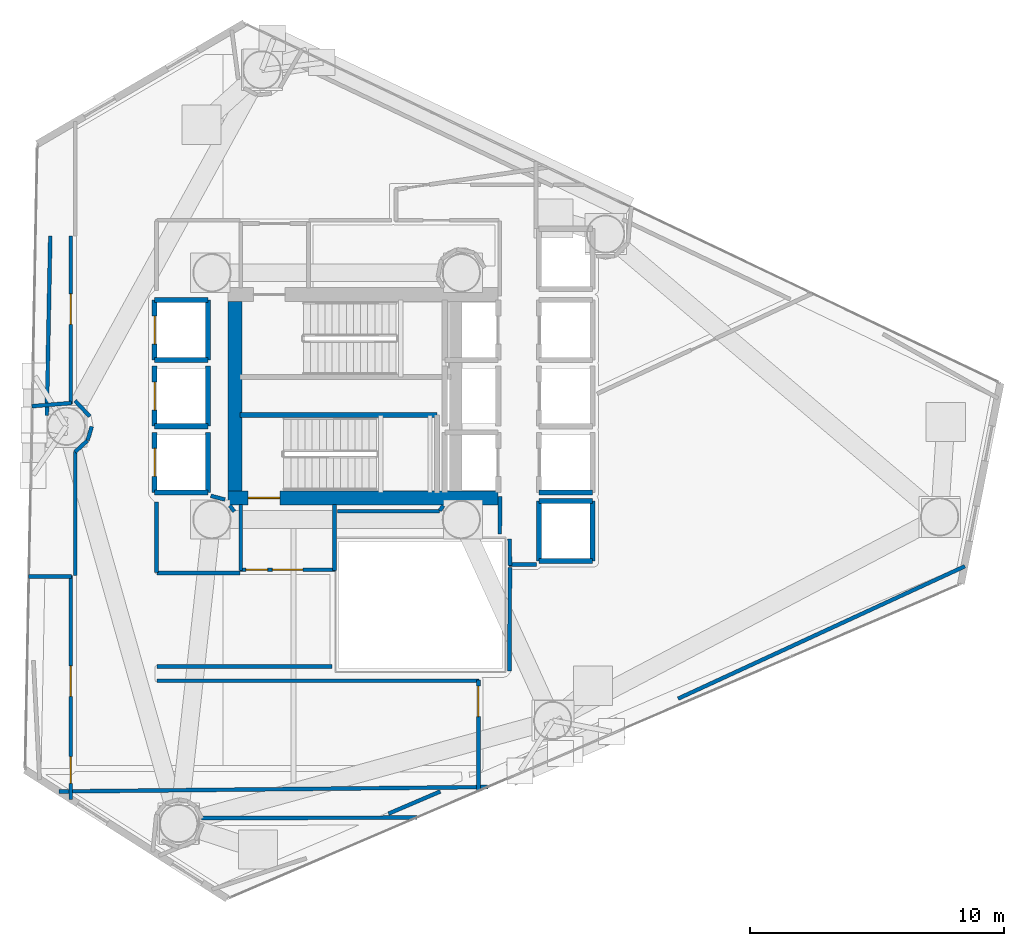
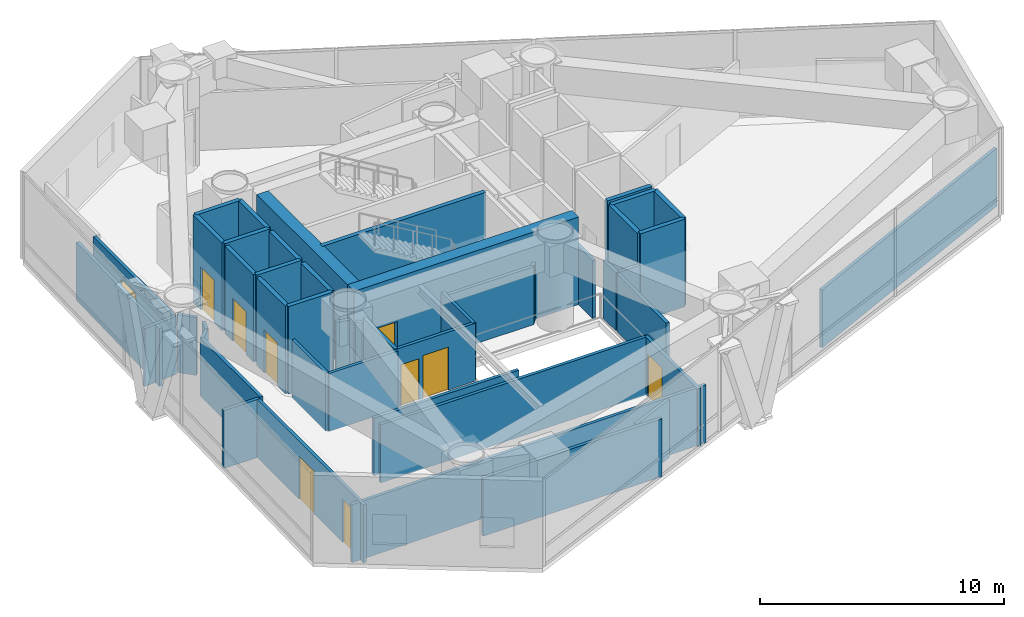
# One storey, part 18 of 22: 47 walls, 10 doors, 10 openings.
"""IFC4 building model written with IfcOpenShell, lengths in metres."""

from ifc_helpers import new_model, si_unit, direction, frame, frame_2d, origin, place, context, subcontext, project, spatial, rectangle, extrude, material, layer, layer_set, type_object, element, fill, save


model = new_model("IFC4")

# Units and contexts
model_context = context("Model", 3, precision=1e-05, world=origin(), true_north=direction((0.0, 1.0)))
body_context = subcontext(model_context, "Body", "Model", "MODEL_VIEW")
ifc_project = project(units=[si_unit("LENGTHUNIT", "METRE"), si_unit("AREAUNIT", "SQUARE_METRE"), si_unit("VOLUMEUNIT", "CUBIC_METRE"), si_unit("PLANEANGLEUNIT", "RADIAN"), si_unit("MASSUNIT", "GRAM", prefix="KILO")], contexts=[model_context])

# Site, building, storey
site_placement = place(None, origin())
site = spatial("IfcSite", under=ifc_project, at=site_placement, CompositionType="ELEMENT")
building_placement = place(site_placement, origin())
building = spatial("IfcBuilding", under=site, at=building_placement, Name="Qianvela Tower", CompositionType="ELEMENT")
storey_placement = place(building_placement, frame((0.0, 0.0, 138.5)))
storey = spatial("IfcBuildingStorey", under=building, at=storey_placement, Name="L35", CompositionType="ELEMENT", Elevation=138.5)

# Wall, opening, door
ifc_material_1 = material(Name="Concrete C60", Category="concrete")
ifc_layer_1 = layer(ifc_material_1, 0.550048828125)
ifc_layer_set_1 = layer_set([ifc_layer_1], Name="Concrete C60")
wall_type_1 = type_object("IfcWallType", Name="WT-CORE-550", PredefinedType="SHEAR", material=ifc_layer_set_1)
wall_1_placement = place(storey_placement, frame((29.22998046875, 24.705078125, 0.0), z_axis=(0.0, 0.0, 1.0), x_axis=(1.0, 0.0, 0.0)))
wall_1 = element("IfcWall", 1, at=wall_1_placement, inside=storey, type_object=wall_type_1, Name="L35 South Core Shear Wall", PredefinedType="SHEAR", context=body_context, shape_type="SweptSolid", body=[
    extrude(rectangle(XDim=10.6201171875, YDim=0.550048828125, at=frame_2d((5.31005859375, 0.0))), origin(), (0.0, 0.0, 1.0), 4.3798828125),
])
opening_1_placement = place(wall_1_placement, frame((0.794921875, 0.0, 0.0)))
opening_1 = element("IfcOpeningElement", 2, at=opening_1_placement, cuts=wall_1, Name="Opening D-ST1", PredefinedType="OPENING", context=body_context, shape_type="SweptSolid", body=[
    extrude(rectangle(XDim=1.25, YDim=2.14990234375, at=frame_2d((0.625, 1.074951171875))), frame((0.0, 0.284912109375, 0.0), z_axis=(0.0, -1.0, 0.0), x_axis=(1.0, 0.0, 0.0)), (0.0, 0.0, 1.0), 0.570068359375),
])
ifc_material_2 = material(Name="Galvanised Fire Steel Q355B", Category="steel")
door_type_1 = type_object("IfcDoorType", Name="DT-STAIR-FD90", OperationType="NOTDEFINED", PredefinedType="DOOR", material=ifc_material_2)
door_1_placement = place(opening_1_placement, origin())
door_1 = element("IfcDoor", 3, at=door_1_placement, inside=storey, type_object=door_type_1, Name="L35 Stair ST-2 Exit Door", OperationType="SINGLE_SWING_LEFT", OverallHeight=2.14990234375, OverallWidth=1.25, PredefinedType="DOOR", context=body_context, shape_type="SweptSolid", body=[
    extrude(rectangle(XDim=1.25, YDim=2.14990234375, at=frame_2d((0.625, 1.074951171875))), frame((0.0, 0.02490234375, 0.0), z_axis=(0.0, -1.0, 0.0), x_axis=(1.0, 0.0, 0.0)), (0.0, 0.0, 1.0), 0.050048828125),
])
fill(opening_1, door_1)

# Wall
wall_2_placement = place(storey_placement, frame((29.5048828125, 24.97998046875, 0.0), z_axis=(0.0, 0.0, 1.0), x_axis=(0.0, 1.0, 0.0)))
element("IfcWall", 4, at=wall_2_placement, inside=storey, type_object=wall_type_1, Name="L35 West Core Shear Wall", PredefinedType="SHEAR", context=body_context, shape_type="SweptSolid", body=[
    extrude(rectangle(XDim=7.43994140625, YDim=0.550048828125, at=frame_2d((3.719970703125, 0.0))), origin(), (0.0, 0.0, 1.0), 4.3798828125),
])

# Wall, openings, doors
ifc_material_3 = material(Name="Fire-Rated Acoustic Gypsum Board")
ifc_layer_2 = layer(ifc_material_3, 0.14990234375)
ifc_layer_set_2 = layer_set([ifc_layer_2], Name="Fire-Rated Acoustic Gypsum Board")
wall_type_2 = type_object("IfcWallType", Name="WT-CORR-150", PredefinedType="PARTITIONING", material=ifc_layer_set_2)
wall_3_placement = place(storey_placement, frame((33.449951171875, 21.881103515625, 0.0), z_axis=(0.0, 0.0, 1.0), x_axis=(-1.0, 0.0, 0.0)))
wall_3 = element("IfcWall", 5, at=wall_3_placement, inside=storey, type_object=wall_type_2, Name="L35 Partition 5", PredefinedType="PARTITIONING", context=body_context, shape_type="SweptSolid", body=[
    extrude(rectangle(XDim=3.75, YDim=0.14990234375, at=frame_2d((1.875, 0.0))), origin(), (0.0, 0.0, 1.0), 2.89990234375),
])
opening_2_placement = place(wall_3_placement, frame((1.27490234375, 0.0, 0.0)))
opening_2 = element("IfcOpeningElement", 6, at=opening_2_placement, cuts=wall_3, Name="Opening D-LB1", PredefinedType="OPENING", context=body_context, shape_type="SweptSolid", body=[
    extrude(rectangle(XDim=1.199951171875, YDim=2.14990234375, at=frame_2d((0.60009765625, 1.074951171875))), frame((0.0, 0.0849609375, 0.0), z_axis=(0.0, -1.0, 0.0), x_axis=(1.0, 0.0, 0.0)), (0.0, 0.0, 1.0), 0.169921875),
])
opening_3_placement = place(wall_3_placement, frame((2.659912109375, 0.0, 0.0)))
opening_3 = element("IfcOpeningElement", 7, at=opening_3_placement, cuts=wall_3, Name="Opening D-LB2", PredefinedType="OPENING", context=body_context, shape_type="SweptSolid", body=[
    extrude(rectangle(XDim=0.860107421875, YDim=2.050048828125, at=frame_2d((0.43017578125, 1.02490234375))), frame((0.0, 0.0849609375, 0.0), z_axis=(0.0, -1.0, 0.0), x_axis=(1.0, 0.0, 0.0)), (0.0, 0.0, 1.0), 0.169921875),
])
ifc_material_4 = material(Name="Glazed Fire-Rated Steel Frame", Category="steel")
door_type_2 = type_object("IfcDoorType", Name="DT-LOBBY-FD90", OperationType="NOTDEFINED", PredefinedType="DOOR", material=ifc_material_4)
door_2_placement = place(opening_2_placement, origin())
door_2 = element("IfcDoor", 8, at=door_2_placement, inside=storey, type_object=door_type_2, Name="L35 Door L35 Firefighting Lobby South to L35 Mechanical Plant Corridor", OperationType="SINGLE_SWING_RIGHT", OverallHeight=2.14990234375, OverallWidth=1.199951171875, PredefinedType="DOOR", context=body_context, shape_type="SweptSolid", body=[
    extrude(rectangle(XDim=1.199951171875, YDim=2.14990234375, at=frame_2d((0.60009765625, 1.074951171875))), frame((0.0, 0.02490234375, 0.0), z_axis=(0.0, -1.0, 0.0), x_axis=(1.0, 0.0, 0.0)), (0.0, 0.0, 1.0), 0.050048828125),
])
fill(opening_2, door_2)
ifc_material_5 = material(Name="Insulated Steel Fire Door Q355B", Category="steel")
door_type_3 = type_object("IfcDoorType", Name="DT-LOBBY-FD90-860", OperationType="NOTDEFINED", PredefinedType="DOOR", material=ifc_material_5)
door_3_placement = place(opening_3_placement, origin())
door_3 = element("IfcDoor", 9, at=door_3_placement, inside=storey, type_object=door_type_3, Name="L35 Door L35 Firefighting Lobby South to L35 Mechanical Plant Corridor", OperationType="SINGLE_SWING_RIGHT", OverallHeight=2.050048828125, OverallWidth=0.860107421875, PredefinedType="DOOR", context=body_context, shape_type="SweptSolid", body=[
    extrude(rectangle(XDim=0.860107421875, YDim=2.050048828125, at=frame_2d((0.43017578125, 1.02490234375))), frame((0.0, 0.02490234375, 0.0), z_axis=(0.0, -1.0, 0.0), x_axis=(1.0, 0.0, 0.0)), (0.0, 0.0, 1.0), 0.050048828125),
])
fill(opening_3, door_3)

# Walls
for number, where, z_axis, x_axis, name in (
    (10, (29.73095703125, 21.85009765625, 0.0), (0.0, 0.0, 1.0), (0.0, 1.0, 0.0), "L35 Partition 6"),
    (11, (33.4189453125, 24.44189453125, 0.0), (0.0, 0.0, 1.0), (0.0, -1.0, 0.0), "L35 Partition 8"),
):
    element("IfcWall", number, at=place(storey_placement, frame(where, z_axis=z_axis, x_axis=x_axis)), inside=storey, type_object=wall_type_2, Name=name, PredefinedType="PARTITIONING", context=body_context, shape_type="SweptSolid", body=[
        extrude(rectangle(XDim=2.591796875, YDim=0.14990234375, at=frame_2d((1.2958984375, 0.0))), origin(), (0.0, 0.0, 1.0), 2.89990234375),
    ])
wall_4_placement = place(storey_placement, frame((41.360107421875, 22.0810546875, 0.0), z_axis=(0.0, 0.0, 1.0), x_axis=(-1.0, 0.0, 0.0)))
element("IfcWall", 12, at=wall_4_placement, inside=storey, type_object=wall_type_2, Name="L35 Partition 15", PredefinedType="PARTITIONING", context=body_context, shape_type="SweptSolid", body=[
    extrude(rectangle(XDim=1.080078125, YDim=0.14990234375, at=frame_2d((0.5400390625, 0.0))), origin(), (0.0, 0.0, 1.0), 2.89990234375),
])
wall_5_placement = place(storey_placement, frame((40.31103515625, 22.05029296875, 0.0), z_axis=(0.0, 0.0, 1.0), x_axis=(-0.011836292006, 0.999929948642, 0.0)))
element("IfcWall", 13, at=wall_5_placement, inside=storey, type_object=wall_type_2, Name="L35 Partition 16", PredefinedType="PARTITIONING", context=body_context, shape_type="SweptSolid", body=[
    extrude(rectangle(XDim=1.03125, YDim=0.14990234375, at=frame_2d((0.515625, 0.0))), origin(), (0.0, 0.0, 1.0), 2.89990234375),
])
wall_6_placement = place(storey_placement, frame((39.910888671875, 23.27978515625, 0.0), z_axis=(0.0, 0.0, 1.0), x_axis=(0.009397771291, 0.999955839972, 0.0)))
element("IfcWall", 14, at=wall_6_placement, inside=storey, type_object=wall_type_2, Name="L35 Partition 17", PredefinedType="PARTITIONING", context=body_context, shape_type="SweptSolid", body=[
    extrude(rectangle(XDim=1.480712890625, YDim=0.14990234375, at=frame_2d((0.740234375, 0.0))), origin(), (0.0, 0.0, 1.0), 2.89990234375),
])
wall_7_placement = place(storey_placement, frame((29.47998046875, 24.1689453125, 0.0), z_axis=(0.0, 0.0, 1.0), x_axis=(-0.608043045279, 0.79390405912, 0.0)))
element("IfcWall", 15, at=wall_7_placement, inside=storey, type_object=wall_type_2, Name="L35 Partition 22", PredefinedType="PARTITIONING", context=body_context, shape_type="SweptSolid", body=[
    extrude(rectangle(XDim=0.290283203125, YDim=0.14990234375, at=frame_2d((0.14501953125, 0.0))), origin(), (0.0, 0.0, 1.0), 2.89990234375),
])
wall_8_placement = place(storey_placement, frame((29.113525390625, 24.63671875, 0.0), z_axis=(0.0, 0.0, 1.0), x_axis=(-0.966199685486, 0.257794817183, 0.0)))
element("IfcWall", 16, at=wall_8_placement, inside=storey, type_object=wall_type_2, Name="L35 Partition 23", PredefinedType="PARTITIONING", context=body_context, shape_type="SweptSolid", body=[
    extrude(rectangle(XDim=0.574951171875, YDim=0.14990234375, at=frame_2d((0.28759765625, 0.0))), origin(), (0.0, 0.0, 1.0), 2.89990234375),
])
wall_9_placement = place(storey_placement, frame((37.696533203125, 24.3994140625, 0.0), z_axis=(0.0, 0.0, 1.0), x_axis=(-0.60763139403, -0.794219169367, 0.0)))
element("IfcWall", 17, at=wall_9_placement, inside=storey, type_object=wall_type_2, Name="L35 Partition 30", PredefinedType="PARTITIONING", context=body_context, shape_type="SweptSolid", body=[
    extrude(rectangle(XDim=0.25, YDim=0.14990234375, at=frame_2d((0.125, 0.0))), origin(), (0.0, 0.0, 1.0), 2.89990234375),
])
wall_10_placement = place(storey_placement, frame((37.544677734375, 24.180908203125, 0.0), z_axis=(0.0, 0.0, 1.0), x_axis=(-1.0, 0.0, 0.0)))
element("IfcWall", 18, at=wall_10_placement, inside=storey, type_object=wall_type_2, Name="L35 Partition 31", PredefinedType="PARTITIONING", context=body_context, shape_type="SweptSolid", body=[
    extrude(rectangle(XDim=4.0146484375, YDim=0.14990234375, at=frame_2d((2.00732421875, 0.0))), origin(), (0.0, 0.0, 1.0), 2.89990234375),
])

# Wall, opening, door
wall_11_placement = place(storey_placement, frame((23.049072265625, 35.0, 0.0), z_axis=(0.0, 0.0, 1.0), x_axis=(0.0, -1.0, 0.0)))
wall_11 = element("IfcWall", 19, at=wall_11_placement, inside=storey, type_object=wall_type_2, Name="L35 Partition 32", PredefinedType="PARTITIONING", context=body_context, shape_type="SweptSolid", body=[
    extrude(rectangle(XDim=6.598876953125, YDim=0.14990234375, at=frame_2d((3.29931640625, 0.0))), origin(), (0.0, 0.0, 1.0), 2.89990234375),
])
opening_4_placement = place(wall_11_placement, frame((2.279541015625, 0.0, 0.0)))
opening_4 = element("IfcOpeningElement", 20, at=opening_4_placement, cuts=wall_11, Name="Opening D-LB1", PredefinedType="OPENING", context=body_context, shape_type="SweptSolid", body=[
    extrude(rectangle(XDim=1.199951171875, YDim=2.14990234375, at=frame_2d((0.60009765625, 1.074951171875))), frame((0.0, 0.0849609375, 0.0), z_axis=(0.0, -1.0, 0.0), x_axis=(1.0, 0.0, 0.0)), (0.0, 0.0, 1.0), 0.169921875),
])
door_4_placement = place(opening_4_placement, origin())
door_4 = element("IfcDoor", 21, at=door_4_placement, inside=storey, type_object=door_type_2, Name="L35 Door L35 Fire Refuge Area North to L35 Mechanical Plant Corridor", OperationType="SINGLE_SWING_RIGHT", OverallHeight=2.14990234375, OverallWidth=1.199951171875, PredefinedType="DOOR", context=body_context, shape_type="SweptSolid", body=[
    extrude(rectangle(XDim=1.199951171875, YDim=2.14990234375, at=frame_2d((0.60009765625, 1.074951171875))), frame((0.0, 0.02490234375, 0.0), z_axis=(0.0, -1.0, 0.0), x_axis=(1.0, 0.0, 0.0)), (0.0, 0.0, 1.0), 0.050048828125),
])
fill(opening_4, door_4)

# Walls
wall_12_placement = place(storey_placement, frame((23.077392578125, 28.431884765625, 0.0), z_axis=(0.0, 0.0, 1.0), x_axis=(-0.99676233756, -0.080404243802, 0.0)))
element("IfcWall", 22, at=wall_12_placement, inside=storey, type_object=wall_type_2, Name="L35 Partition 33", PredefinedType="PARTITIONING", context=body_context, shape_type="SweptSolid", body=[
    extrude(rectangle(XDim=1.560791015625, YDim=0.14990234375, at=frame_2d((0.7802734375, 0.0))), origin(), (0.0, 0.0, 1.0), 2.89990234375),
])
wall_13_placement = place(storey_placement, frame((22.110595703125, 27.943115234375, 0.0), z_axis=(0.0, 0.0, 1.0), x_axis=(0.019544409896, 0.999808989778, 0.0)))
element("IfcWall", 23, at=wall_13_placement, inside=storey, type_object=wall_type_2, Name="L35 Partition 35", PredefinedType="PARTITIONING", context=body_context, shape_type="SweptSolid", body=[
    extrude(rectangle(XDim=7.057861328125, YDim=0.14990234375, at=frame_2d((3.52880859375, 0.0))), origin(), (0.0, 0.0, 1.0), 2.89990234375),
])
wall_14_placement = place(storey_placement, frame((21.390869140625, 21.618896484375, 0.0), z_axis=(0.0, 0.0, 1.0), x_axis=(1.0, 0.0, 0.0)))
element("IfcWall", 24, at=wall_14_placement, inside=storey, type_object=wall_type_2, Name="L35 Partition 37", PredefinedType="PARTITIONING", context=body_context, shape_type="SweptSolid", body=[
    extrude(rectangle(XDim=1.689208984375, YDim=0.14990234375, at=frame_2d((0.8447265625, 0.0))), origin(), (0.0, 0.0, 1.0), 2.89990234375),
])

# Wall, openings, doors
wall_15_placement = place(storey_placement, frame((23.049072265625, 21.64990234375, 0.0), z_axis=(0.0, 0.0, 1.0), x_axis=(0.0, -1.0, 0.0)))
wall_15 = element("IfcWall", 25, at=wall_15_placement, inside=storey, type_object=wall_type_2, Name="L35 Partition 38", PredefinedType="PARTITIONING", context=body_context, shape_type="SweptSolid", body=[
    extrude(rectangle(XDim=8.79736328125, YDim=0.14990234375, at=frame_2d((4.398681640625, 0.0))), origin(), (0.0, 0.0, 1.0), 2.89990234375),
])
opening_5_placement = place(wall_15_placement, frame((3.542236328125, 0.0, 0.0)))
opening_5 = element("IfcOpeningElement", 26, at=opening_5_placement, cuts=wall_15, Name="Opening D-LB1", PredefinedType="OPENING", context=body_context, shape_type="SweptSolid", body=[
    extrude(rectangle(XDim=1.199951171875, YDim=2.14990234375, at=frame_2d((0.60009765625, 1.074951171875))), frame((0.0, 0.0849609375, 0.0), z_axis=(0.0, -1.0, 0.0), x_axis=(1.0, 0.0, 0.0)), (0.0, 0.0, 1.0), 0.169921875),
])
opening_6_placement = place(wall_15_placement, frame((7.1142578125, 0.0, 0.0)))
opening_6 = element("IfcOpeningElement", 27, at=opening_6_placement, cuts=wall_15, Name="Opening D-PL1", PredefinedType="OPENING", context=body_context, shape_type="SweptSolid", body=[
    extrude(rectangle(XDim=1.050048828125, YDim=2.14990234375, at=frame_2d((0.52490234375, 1.074951171875))), frame((0.0, 0.0849609375, 0.0), z_axis=(0.0, -1.0, 0.0), x_axis=(1.0, 0.0, 0.0)), (0.0, 0.0, 1.0), 0.169921875),
])
door_5_placement = place(opening_5_placement, origin())
door_5 = element("IfcDoor", 28, at=door_5_placement, inside=storey, type_object=door_type_2, Name="L35 Door L35 Fire Refuge Area South to L35 Mechanical Plant Corridor", OperationType="SINGLE_SWING_LEFT", OverallHeight=2.14990234375, OverallWidth=1.199951171875, PredefinedType="DOOR", context=body_context, shape_type="SweptSolid", body=[
    extrude(rectangle(XDim=1.199951171875, YDim=2.14990234375, at=frame_2d((0.60009765625, 1.074951171875))), frame((0.0, 0.02490234375, 0.0), z_axis=(0.0, -1.0, 0.0), x_axis=(1.0, 0.0, 0.0)), (0.0, 0.0, 1.0), 0.050048828125),
])
fill(opening_5, door_5)
ifc_material_6 = material(Name="Insulated Steel Fire Door Q355B", Category="steel")
door_type_4 = type_object("IfcDoorType", Name="DT-PLANT-FD90", OperationType="NOTDEFINED", PredefinedType="DOOR", material=ifc_material_6)
door_6_placement = place(opening_6_placement, origin())
door_6 = element("IfcDoor", 29, at=door_6_placement, inside=storey, type_object=door_type_4, Name="L35 Door L35 Hydronic Heat Exchanger and Fire Pump Room to L35 Fire Refuge Area South", OperationType="SINGLE_SWING_RIGHT", OverallHeight=2.14990234375, OverallWidth=1.050048828125, PredefinedType="DOOR", context=body_context, shape_type="SweptSolid", body=[
    extrude(rectangle(XDim=1.050048828125, YDim=2.14990234375, at=frame_2d((0.52490234375, 1.074951171875))), frame((0.0, 0.02490234375, 0.0), z_axis=(0.0, -1.0, 0.0), x_axis=(1.0, 0.0, 0.0)), (0.0, 0.0, 1.0), 0.050048828125),
])
fill(opening_6, door_6)

# Walls
wall_16_placement = place(storey_placement, frame((23.796875, 27.908447265625, 0.0), z_axis=(0.0, 0.0, 1.0), x_axis=(-0.683477006845, 0.729972041324, 0.0)))
element("IfcWall", 30, at=wall_16_placement, inside=storey, type_object=wall_type_2, Name="L35 Partition 40", PredefinedType="PARTITIONING", context=body_context, shape_type="SweptSolid", body=[
    extrude(rectangle(XDim=0.840087890625, YDim=0.14990234375, at=frame_2d((0.419921875, 0.0))), origin(), (0.0, 0.0, 1.0), 2.89990234375),
])
wall_17_placement = place(storey_placement, frame((26.4189453125, 24.54833984375, 0.0), z_axis=(0.0, 0.0, 1.0), x_axis=(0.0, -1.0, 0.0)))
element("IfcWall", 31, at=wall_17_placement, inside=storey, type_object=wall_type_2, Name="L35 Partition 54", PredefinedType="PARTITIONING", context=body_context, shape_type="SweptSolid", body=[
    extrude(rectangle(XDim=2.768310546875, YDim=0.14990234375, at=frame_2d((1.38427734375, 0.0))), origin(), (0.0, 0.0, 1.0), 2.89990234375),
])
wall_18_placement = place(storey_placement, frame((26.449951171875, 21.7490234375, 0.0), z_axis=(0.0, 0.0, 1.0), x_axis=(1.0, 0.0, 0.0)))
element("IfcWall", 32, at=wall_18_placement, inside=storey, type_object=wall_type_2, Name="L35 Partition 55 seg 1", PredefinedType="PARTITIONING", context=body_context, shape_type="SweptSolid", body=[
    extrude(rectangle(XDim=3.25, YDim=0.14990234375, at=frame_2d((1.625, 0.0))), origin(), (0.0, 0.0, 1.0), 2.89990234375),
])
wall_19_placement = place(storey_placement, frame((33.320068359375, 18.0810546875, 0.0), z_axis=(0.0, 0.0, 1.0), x_axis=(-1.0, 0.0, 0.0)))
element("IfcWall", 33, at=wall_19_placement, inside=storey, type_object=wall_type_2, Name="L35 Partition 56", PredefinedType="PARTITIONING", context=body_context, shape_type="SweptSolid", body=[
    extrude(rectangle(XDim=6.8701171875, YDim=0.14990234375, at=frame_2d((3.43505859375, 0.0))), origin(), (0.0, 0.0, 1.0), 2.89990234375),
])
wall_20_placement = place(storey_placement, frame((26.449951171875, 17.51904296875, 0.0), z_axis=(0.0, 0.0, 1.0), x_axis=(1.0, 0.0, 0.0)))
element("IfcWall", 34, at=wall_20_placement, inside=storey, type_object=wall_type_2, Name="L35 Partition 57", PredefinedType="PARTITIONING", context=body_context, shape_type="SweptSolid", body=[
    extrude(rectangle(XDim=12.650146484375, YDim=0.14990234375, at=frame_2d((6.3251953125, 0.0))), origin(), (0.0, 0.0, 1.0), 2.89990234375),
])

# Wall, opening, door
wall_21_placement = place(storey_placement, frame((39.069091796875, 17.550048828125, 0.0), z_axis=(0.0, 0.0, 1.0), x_axis=(0.0, -1.0, 0.0)))
wall_21 = element("IfcWall", 35, at=wall_21_placement, inside=storey, type_object=wall_type_2, Name="L35 Partition 58", PredefinedType="PARTITIONING", context=body_context, shape_type="SweptSolid", body=[
    extrude(rectangle(XDim=4.386474609375, YDim=0.14990234375, at=frame_2d((2.193359375, 0.0))), origin(), (0.0, 0.0, 1.0), 2.89990234375),
])
opening_7_placement = place(wall_21_placement, frame((0.239990234375, 0.0, 0.0)))
opening_7 = element("IfcOpeningElement", 36, at=opening_7_placement, cuts=wall_21, Name="Opening D-LB1", PredefinedType="OPENING", context=body_context, shape_type="SweptSolid", body=[
    extrude(rectangle(XDim=1.199951171875, YDim=2.14990234375, at=frame_2d((0.60009765625, 1.074951171875))), frame((0.0, 0.0849609375, 0.0), z_axis=(0.0, -1.0, 0.0), x_axis=(1.0, 0.0, 0.0)), (0.0, 0.0, 1.0), 0.169921875),
])
door_7_placement = place(opening_7_placement, origin())
door_7 = element("IfcDoor", 37, at=door_7_placement, inside=storey, type_object=door_type_2, Name="L35 Door L35 Fire Refuge Area 3 to L35 Mechanical Plant Corridor", OperationType="SINGLE_SWING_RIGHT", OverallHeight=2.14990234375, OverallWidth=1.199951171875, PredefinedType="DOOR", context=body_context, shape_type="SweptSolid", body=[
    extrude(rectangle(XDim=1.199951171875, YDim=2.14990234375, at=frame_2d((0.60009765625, 1.074951171875))), frame((0.0, 0.02490234375, 0.0), z_axis=(0.0, -1.0, 0.0), x_axis=(1.0, 0.0, 0.0)), (0.0, 0.0, 1.0), 0.050048828125),
])
fill(opening_7, door_7)

# Walls
wall_22_placement = place(storey_placement, frame((39.438720703125, 13.34228515625, 0.0), z_axis=(0.0, 0.0, 1.0), x_axis=(-0.999946210458, -0.010371894228, 0.0)))
element("IfcWall", 38, at=wall_22_placement, inside=storey, type_object=wall_type_2, Name="L35 Partition 59", PredefinedType="PARTITIONING", context=body_context, shape_type="SweptSolid", body=[
    extrude(rectangle(XDim=16.853759765625, YDim=0.14990234375, at=frame_2d((8.4267578125, 0.0))), origin(), (0.0, 0.0, 1.0), 2.89990234375),
])
wall_23_placement = place(storey_placement, frame((23.23095703125, 21.64990234375, 0.0), z_axis=(0.0, 0.0, 1.0), x_axis=(0.0, 1.0, 0.0)))
element("IfcWall", 39, at=wall_23_placement, inside=storey, type_object=wall_type_2, Name="L35 Partition 60 seg 2", PredefinedType="PARTITIONING", context=body_context, shape_type="SweptSolid", body=[
    extrude(rectangle(XDim=4.881591796875, YDim=0.14990234375, at=frame_2d((2.44091796875, 0.0))), origin(), (0.0, 0.0, 1.0), 2.89990234375),
])
wall_24_placement = place(storey_placement, frame((23.220947265625, 26.508544921875, 0.0), z_axis=(0.0, 0.0, 1.0), x_axis=(0.735967958623, 0.67701636899, 0.0)))
element("IfcWall", 40, at=wall_24_placement, inside=storey, type_object=wall_type_2, Name="L35 Partition 61", PredefinedType="PARTITIONING", context=body_context, shape_type="SweptSolid", body=[
    extrude(rectangle(XDim=0.658447265625, YDim=0.14990234375, at=frame_2d((0.3291015625, 0.0))), origin(), (0.0, 0.0, 1.0), 2.89990234375),
])
wall_25_placement = place(storey_placement, frame((23.714111328125, 26.968017578125, 0.0), z_axis=(0.0, 0.0, 1.0), x_axis=(0.29036822543, 0.956914987687, 0.0)))
element("IfcWall", 41, at=wall_25_placement, inside=storey, type_object=wall_type_2, Name="L35 Partition 62", PredefinedType="PARTITIONING", context=body_context, shape_type="SweptSolid", body=[
    extrude(rectangle(XDim=0.563232421875, YDim=0.14990234375, at=frame_2d((0.28173828125, 0.0))), origin(), (0.0, 0.0, 1.0), 2.89990234375),
])
wall_26_placement = place(storey_placement, frame((40.289794921875, 17.892578125, 0.0), z_axis=(0.0, 0.0, 1.0), x_axis=(0.005209510146, 0.99998643041, 0.0)))
element("IfcWall", 42, at=wall_26_placement, inside=storey, type_object=wall_type_2, Name="L35 Partition 65 seg 1", PredefinedType="PARTITIONING", context=body_context, shape_type="SweptSolid", body=[
    extrude(rectangle(XDim=4.0771484375, YDim=0.14990234375, at=frame_2d((2.03857421875, 0.0))), origin(), (0.0, 0.0, 1.0), 2.89990234375),
])
wall_27_placement = place(storey_placement, frame((58.18798828125, 22.017822265625, 0.0), z_axis=(0.0, 0.0, 1.0), x_axis=(-0.90789028715, -0.419207855961, 0.0)))
element("IfcWall", 43, at=wall_27_placement, inside=storey, type_object=wall_type_2, Name="L35 Partition 74 seg 1", PredefinedType="PARTITIONING", context=body_context, shape_type="SweptSolid", body=[
    extrude(rectangle(XDim=12.411865234375, YDim=0.14990234375, at=frame_2d((6.2060546875, 0.0))), origin(), (0.0, 0.0, 1.0), 2.89990234375),
])
wall_28_placement = place(storey_placement, frame((37.572265625, 13.16796875, 0.0), z_axis=(0.0, 0.0, 1.0), x_axis=(-0.918911067861, -0.394464763144, 0.0)))
element("IfcWall", 44, at=wall_28_placement, inside=storey, type_object=wall_type_2, Name="L35 Partition 76", PredefinedType="PARTITIONING", context=body_context, shape_type="SweptSolid", body=[
    extrude(rectangle(XDim=2.214599609375, YDim=0.14990234375, at=frame_2d((1.107421875, 0.0))), origin(), (0.0, 0.0, 1.0), 2.89990234375),
])
wall_29_placement = place(storey_placement, frame((36.6630859375, 12.14208984375, 0.0), z_axis=(0.0, 0.0, 1.0), x_axis=(-0.999996934648, -0.00247602385, 0.0)))
element("IfcWall", 45, at=wall_29_placement, inside=storey, type_object=wall_type_2, Name="L35 Partition 77", PredefinedType="PARTITIONING", context=body_context, shape_type="SweptSolid", body=[
    extrude(rectangle(XDim=8.479736328125, YDim=0.14990234375, at=frame_2d((4.23974609375, 0.0))), origin(), (0.0, 0.0, 1.0), 2.89990234375),
])
ifc_material_7 = material(Name="Concrete C50", Category="concrete")
ifc_layer_3 = layer(ifc_material_7, 0.199951171875)
ifc_layer_set_3 = layer_set([ifc_layer_3], Name="Concrete C50")
wall_type_3 = type_object("IfcWallType", Name="WT-SHAFT-200", PredefinedType="SOLIDWALL", material=ifc_layer_set_3)
wall_30_placement = place(storey_placement, frame((29.699951171875, 27.9599609375, 0.0), z_axis=(0.0, 0.0, 1.0), x_axis=(1.0, 0.0, 0.0)))
element("IfcWall", 46, at=wall_30_placement, inside=storey, type_object=wall_type_3, Name="L35 Stair ST-2 North Wall", PredefinedType="SOLIDWALL", context=body_context, shape_type="SweptSolid", body=[
    extrude(rectangle(XDim=7.75, YDim=0.199951171875, at=frame_2d((3.875, 0.0))), origin(), (0.0, 0.0, 1.0), 4.3798828125),
])
wall_31_placement = place(storey_placement, frame((28.449951171875, 30.1201171875, 0.0), z_axis=(0.0, 0.0, 1.0), x_axis=(0.0, 1.0, 0.0)))
element("IfcWall", 47, at=wall_31_placement, inside=storey, type_object=wall_type_3, Name="L35 Lift PL-L1 E Shaft Wall", PredefinedType="SOLIDWALL", context=body_context, shape_type="SweptSolid", body=[
    extrude(rectangle(XDim=2.35986328125, YDim=0.199951171875, at=frame_2d((1.179931640625, 0.0))), origin(), (0.0, 0.0, 1.0), 4.3798828125),
])

# Wall, opening, door
wall_32_placement = place(storey_placement, frame((26.35009765625, 30.1201171875, 0.0), z_axis=(0.0, 0.0, 1.0), x_axis=(0.0, 1.0, 0.0)))
wall_32 = element("IfcWall", 48, at=wall_32_placement, inside=storey, type_object=wall_type_3, Name="L35 Lift PL-L1 W Shaft Wall", PredefinedType="SOLIDWALL", context=body_context, shape_type="SweptSolid", body=[
    extrude(rectangle(XDim=2.35986328125, YDim=0.199951171875, at=frame_2d((1.179931640625, 0.0))), origin(), (0.0, 0.0, 1.0), 4.3798828125),
])
opening_8_placement = place(wall_32_placement, frame((0.6298828125, 0.0, 0.0)))
opening_8 = element("IfcOpeningElement", 49, at=opening_8_placement, cuts=wall_32, Name="Opening LD-01", PredefinedType="OPENING", context=body_context, shape_type="SweptSolid", body=[
    extrude(rectangle(XDim=1.10009765625, YDim=2.14990234375, at=frame_2d((0.550048828125, 1.074951171875))), frame((0.0, 0.10986328125, 0.0), z_axis=(0.0, -1.0, 0.0), x_axis=(1.0, 0.0, 0.0)), (0.0, 0.0, 1.0), 0.219970703125),
])
ifc_material_8 = material(Name="Brushed Stainless Steel Lift Landing Door", Category="steel")
door_type_5 = type_object("IfcDoorType", Name="DT-LIFT-SLIDE-1100", OperationType="SLIDING_TO_LEFT", PredefinedType="DOOR", material=ifc_material_8)
door_8_placement = place(opening_8_placement, origin())
door_8 = element("IfcDoor", 50, at=door_8_placement, inside=storey, type_object=door_type_5, Name="L35 Lift PL-L1 Sliding Landing Door", OperationType="SLIDING_TO_LEFT", OverallHeight=2.14990234375, OverallWidth=1.10009765625, PredefinedType="DOOR", context=body_context, shape_type="SweptSolid", body=[
    extrude(rectangle(XDim=1.10009765625, YDim=2.14990234375, at=frame_2d((0.550048828125, 1.074951171875))), frame((0.0, 0.02490234375, 0.0), z_axis=(0.0, -1.0, 0.0), x_axis=(1.0, 0.0, 0.0)), (0.0, 0.0, 1.0), 0.050048828125),
])
fill(opening_8, door_8)

# Walls
for number, where, z_axis, x_axis, name in (
    (51, (26.35009765625, 32.47998046875, 0.0), (0.0, 0.0, 1.0), (1.0, 0.0, 0.0), "L35 Lift PL-L1 N Shaft Wall"),
    (52, (26.35009765625, 30.1201171875, 0.0), (0.0, 0.0, 1.0), (1.0, 0.0, 0.0), "L35 Lift PL-L1 S Shaft Wall"),
):
    element("IfcWall", number, at=place(storey_placement, frame(where, z_axis=z_axis, x_axis=x_axis)), inside=storey, type_object=wall_type_3, Name=name, PredefinedType="SOLIDWALL", context=body_context, shape_type="SweptSolid", body=[
        extrude(rectangle(XDim=2.099853515625, YDim=0.199951171875, at=frame_2d((1.0498046875, 0.0))), origin(), (0.0, 0.0, 1.0), 4.3798828125),
    ])
wall_33_placement = place(storey_placement, frame((28.449951171875, 27.52001953125, 0.0), z_axis=(0.0, 0.0, 1.0), x_axis=(0.0, 1.0, 0.0)))
element("IfcWall", 53, at=wall_33_placement, inside=storey, type_object=wall_type_3, Name="L35 Lift PL-L2 E Shaft Wall", PredefinedType="SOLIDWALL", context=body_context, shape_type="SweptSolid", body=[
    extrude(rectangle(XDim=2.35986328125, YDim=0.199951171875, at=frame_2d((1.179931640625, 0.0))), origin(), (0.0, 0.0, 1.0), 4.3798828125),
])

# Wall, opening, door
wall_34_placement = place(storey_placement, frame((26.35009765625, 27.52001953125, 0.0), z_axis=(0.0, 0.0, 1.0), x_axis=(0.0, 1.0, 0.0)))
wall_34 = element("IfcWall", 54, at=wall_34_placement, inside=storey, type_object=wall_type_3, Name="L35 Lift PL-L2 W Shaft Wall", PredefinedType="SOLIDWALL", context=body_context, shape_type="SweptSolid", body=[
    extrude(rectangle(XDim=2.35986328125, YDim=0.199951171875, at=frame_2d((1.179931640625, 0.0))), origin(), (0.0, 0.0, 1.0), 4.3798828125),
])
opening_9_placement = place(wall_34_placement, frame((0.6298828125, 0.0, 0.0)))
opening_9 = element("IfcOpeningElement", 55, at=opening_9_placement, cuts=wall_34, Name="Opening LD-01", PredefinedType="OPENING", context=body_context, shape_type="SweptSolid", body=[
    extrude(rectangle(XDim=1.10009765625, YDim=2.14990234375, at=frame_2d((0.550048828125, 1.074951171875))), frame((0.0, 0.10986328125, 0.0), z_axis=(0.0, -1.0, 0.0), x_axis=(1.0, 0.0, 0.0)), (0.0, 0.0, 1.0), 0.219970703125),
])
door_9_placement = place(opening_9_placement, origin())
door_9 = element("IfcDoor", 56, at=door_9_placement, inside=storey, type_object=door_type_5, Name="L35 Lift PL-L2 Sliding Landing Door", OperationType="SLIDING_TO_LEFT", OverallHeight=2.14990234375, OverallWidth=1.10009765625, PredefinedType="DOOR", context=body_context, shape_type="SweptSolid", body=[
    extrude(rectangle(XDim=1.10009765625, YDim=2.14990234375, at=frame_2d((0.550048828125, 1.074951171875))), frame((0.0, 0.02490234375, 0.0), z_axis=(0.0, -1.0, 0.0), x_axis=(1.0, 0.0, 0.0)), (0.0, 0.0, 1.0), 0.050048828125),
])
fill(opening_9, door_9)

# Walls
wall_35_placement = place(storey_placement, frame((26.35009765625, 27.52001953125, 0.0), z_axis=(0.0, 0.0, 1.0), x_axis=(1.0, 0.0, 0.0)))
element("IfcWall", 57, at=wall_35_placement, inside=storey, type_object=wall_type_3, Name="L35 Lift PL-L2 S Shaft Wall", PredefinedType="SOLIDWALL", context=body_context, shape_type="SweptSolid", body=[
    extrude(rectangle(XDim=2.099853515625, YDim=0.199951171875, at=frame_2d((1.0498046875, 0.0))), origin(), (0.0, 0.0, 1.0), 4.3798828125),
])
wall_36_placement = place(storey_placement, frame((28.449951171875, 24.919921875, 0.0), z_axis=(0.0, 0.0, 1.0), x_axis=(0.0, 1.0, 0.0)))
element("IfcWall", 58, at=wall_36_placement, inside=storey, type_object=wall_type_3, Name="L35 Lift PL-L3 E Shaft Wall", PredefinedType="SOLIDWALL", context=body_context, shape_type="SweptSolid", body=[
    extrude(rectangle(XDim=2.360107421875, YDim=0.199951171875, at=frame_2d((1.18017578125, 0.0))), origin(), (0.0, 0.0, 1.0), 4.3798828125),
])

# Wall, opening, door
wall_37_placement = place(storey_placement, frame((26.35009765625, 24.919921875, 0.0), z_axis=(0.0, 0.0, 1.0), x_axis=(0.0, 1.0, 0.0)))
wall_37 = element("IfcWall", 59, at=wall_37_placement, inside=storey, type_object=wall_type_3, Name="L35 Lift PL-L3 W Shaft Wall", PredefinedType="SOLIDWALL", context=body_context, shape_type="SweptSolid", body=[
    extrude(rectangle(XDim=2.360107421875, YDim=0.199951171875, at=frame_2d((1.18017578125, 0.0))), origin(), (0.0, 0.0, 1.0), 4.3798828125),
])
opening_10_placement = place(wall_37_placement, frame((0.6298828125, 0.0, 0.0)))
opening_10 = element("IfcOpeningElement", 60, at=opening_10_placement, cuts=wall_37, Name="Opening LD-01", PredefinedType="OPENING", context=body_context, shape_type="SweptSolid", body=[
    extrude(rectangle(XDim=1.10009765625, YDim=2.14990234375, at=frame_2d((0.550048828125, 1.074951171875))), frame((0.0, 0.10986328125, 0.0), z_axis=(0.0, -1.0, 0.0), x_axis=(1.0, 0.0, 0.0)), (0.0, 0.0, 1.0), 0.219970703125),
])
door_10_placement = place(opening_10_placement, origin())
door_10 = element("IfcDoor", 61, at=door_10_placement, inside=storey, type_object=door_type_5, Name="L35 Lift PL-L3 Sliding Landing Door", OperationType="SLIDING_TO_LEFT", OverallHeight=2.14990234375, OverallWidth=1.10009765625, PredefinedType="DOOR", context=body_context, shape_type="SweptSolid", body=[
    extrude(rectangle(XDim=1.10009765625, YDim=2.14990234375, at=frame_2d((0.550048828125, 1.074951171875))), frame((0.0, 0.02490234375, 0.0), z_axis=(0.0, -1.0, 0.0), x_axis=(1.0, 0.0, 0.0)), (0.0, 0.0, 1.0), 0.050048828125),
])
fill(opening_10, door_10)

# Walls
wall_38_placement = place(storey_placement, frame((26.35009765625, 24.919921875, 0.0), z_axis=(0.0, 0.0, 1.0), x_axis=(1.0, 0.0, 0.0)))
element("IfcWall", 62, at=wall_38_placement, inside=storey, type_object=wall_type_3, Name="L35 Lift PL-L3 S Shaft Wall", PredefinedType="SOLIDWALL", context=body_context, shape_type="SweptSolid", body=[
    extrude(rectangle(XDim=2.099853515625, YDim=0.199951171875, at=frame_2d((1.0498046875, 0.0))), origin(), (0.0, 0.0, 1.0), 4.3798828125),
])
wall_39_placement = place(storey_placement, frame((41.449951171875, 24.919921875, 0.0), z_axis=(0.0, 0.0, 1.0), x_axis=(1.0, 0.0, 0.0)))
element("IfcWall", 63, at=wall_39_placement, inside=storey, type_object=wall_type_3, Name="L35 Lift PL-M3 S Shaft Wall", PredefinedType="SOLIDWALL", context=body_context, shape_type="SweptSolid", body=[
    extrude(rectangle(XDim=2.10009765625, YDim=0.199951171875, at=frame_2d((1.050048828125, 0.0))), origin(), (0.0, 0.0, 1.0), 4.3798828125),
])
for number, where, z_axis, x_axis, name in (
    (64, (43.550048828125, 22.219970703125, 0.0), (0.0, 0.0, 1.0), (0.0, 1.0, 0.0), "L35 Lift PL-H2 E Shaft Wall"),
    (65, (41.449951171875, 22.219970703125, 0.0), (0.0, 0.0, 1.0), (0.0, 1.0, 0.0), "L35 Lift PL-H2 W Shaft Wall"),
):
    element("IfcWall", number, at=place(storey_placement, frame(where, z_axis=z_axis, x_axis=x_axis)), inside=storey, type_object=wall_type_3, Name=name, PredefinedType="SOLIDWALL", context=body_context, shape_type="SweptSolid", body=[
        extrude(rectangle(XDim=2.360107421875, YDim=0.199951171875, at=frame_2d((1.18017578125, 0.0))), origin(), (0.0, 0.0, 1.0), 4.3798828125),
    ])
for number, where, z_axis, x_axis, name in (
    (66, (41.449951171875, 24.580078125, 0.0), (0.0, 0.0, 1.0), (1.0, 0.0, 0.0), "L35 Lift PL-H2 N Shaft Wall"),
    (67, (41.449951171875, 22.219970703125, 0.0), (0.0, 0.0, 1.0), (1.0, 0.0, 0.0), "L35 Lift PL-H2 S Shaft Wall"),
):
    element("IfcWall", number, at=place(storey_placement, frame(where, z_axis=z_axis, x_axis=x_axis)), inside=storey, type_object=wall_type_3, Name=name, PredefinedType="SOLIDWALL", context=body_context, shape_type="SweptSolid", body=[
        extrude(rectangle(XDim=2.10009765625, YDim=0.199951171875, at=frame_2d((1.050048828125, 0.0))), origin(), (0.0, 0.0, 1.0), 4.3798828125),
    ])

save(model, "model.ifc")
